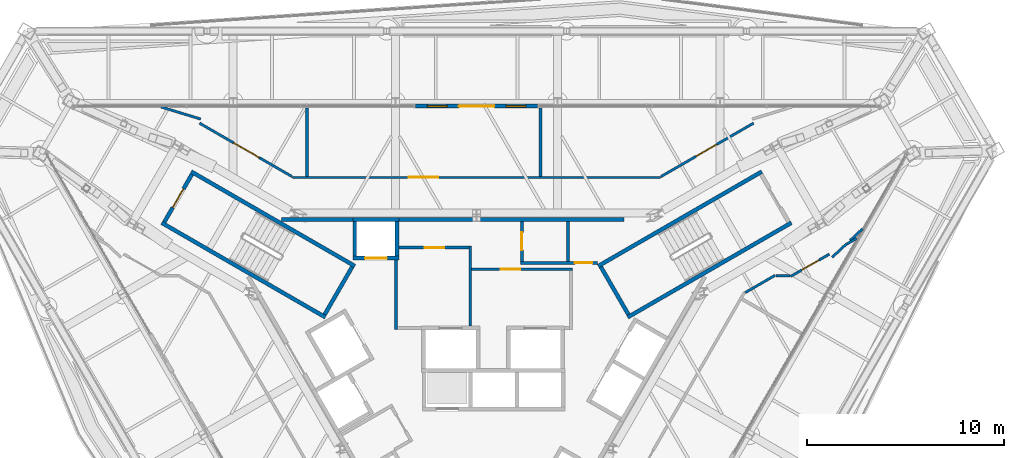
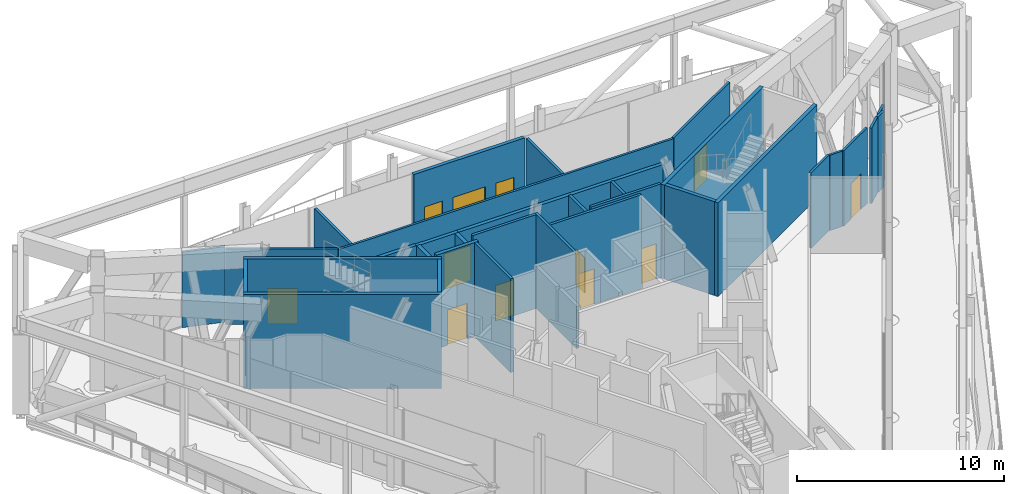
# One storey, part 17 of 25: 33 walls, 11 doors, 2 windows, 13 openings.
"""IFC4 building model written with IfcOpenShell, lengths in metres."""

from ifc_helpers import new_model, si_unit, direction, frame, frame_2d, origin, place, context, subcontext, project, spatial, rectangle, extrude, material, layer, layer_set, type_object, element, fill, save


model = new_model("IFC4")

# Units and contexts
model_context = context("Model", 3, precision=1e-05, world=origin(), true_north=direction((0.0, 1.0)))
body_context = subcontext(model_context, "Body", "Model", "MODEL_VIEW")
ifc_project = project(units=[si_unit("LENGTHUNIT", "METRE"), si_unit("AREAUNIT", "SQUARE_METRE"), si_unit("VOLUMEUNIT", "CUBIC_METRE"), si_unit("PLANEANGLEUNIT", "RADIAN"), si_unit("MASSUNIT", "GRAM", prefix="KILO")], contexts=[model_context])

# Site, building, storey
site_placement = place(None, origin())
site = spatial("IfcSite", under=ifc_project, at=site_placement, CompositionType="ELEMENT")
building_placement = place(site_placement, origin())
building = spatial("IfcBuilding", under=site, at=building_placement, Name="Verrane Prism Tower", CompositionType="ELEMENT")
storey_placement = place(building_placement, frame((0.0, 0.0, 258.199951171875)))
storey = spatial("IfcBuildingStorey", under=building, at=storey_placement, Name="L65", CompositionType="ELEMENT", Elevation=258.199951171875)

# Walls
ifc_material_1 = material(Name="Gypsum board partition", Category="other")
ifc_layer_1 = layer(ifc_material_1, 0.199951171875)
ifc_layer_set_1 = layer_set([ifc_layer_1], Name="CW-200 core boundary wall 2 h")
wall_type_1 = type_object("IfcWallType", Name="CW-200 core boundary wall 2 h", PredefinedType="PARTITIONING", material=ifc_layer_set_1)
wall_1_placement = place(storey_placement, frame((-9.907958984375, 7.659912109375, 0.0), z_axis=(0.0, 0.0, 1.0), x_axis=(1.0, 0.0, 0.0)))
element("IfcWall", 1, at=wall_1_placement, inside=storey, type_object=wall_type_1, Name="Core boundary wall CW3-002", PredefinedType="PARTITIONING", context=body_context, shape_type="SweptSolid", body=[
    extrude(rectangle(XDim=3.620849609375, YDim=0.199951171875, at=frame_2d((1.810546875, 0.0))), origin(), (0.0, 0.0, 1.0), 4.932861328125),
])
wall_2_placement = place(storey_placement, frame((-3.93310546875, 7.659912109375, 0.0), z_axis=(0.0, 0.0, 1.0), x_axis=(1.0, 0.0, 0.0)))
element("IfcWall", 2, at=wall_2_placement, inside=storey, type_object=wall_type_1, Name="Core boundary wall CW3-005", PredefinedType="PARTITIONING", context=body_context, shape_type="SweptSolid", body=[
    extrude(rectangle(XDim=11.43310546875, YDim=0.199951171875, at=frame_2d((5.716552734375, 0.0))), origin(), (0.0, 0.0, 1.0), 4.896728515625),
])
ifc_material_2 = material(Name="Concrete C40/50", Category="concrete")
ifc_layer_2 = layer(ifc_material_2, 0.199951171875)
ifc_layer_set_2 = layer_set([ifc_layer_2], Name="CW-200 stair core wall concrete C40/50 3 h")
wall_type_2 = type_object("IfcWallType", Name="CW-200 stair core wall concrete C40/50 3 h", PredefinedType="PARTITIONING", material=ifc_layer_set_2)
for number, where, z_axis, x_axis, name in (
    (3, (6.17822265625, 5.299072265625, 0.0), (0.0, 0.0, 1.0), (0.866019993635, 0.500009370536, 0.0), "Stair 1 enclosure wall"),
    (4, (7.67822265625, 2.700927734375, 0.0), (0.0, 0.0, 1.0), (0.866019993635, 0.500009370536, 0.0), "Stair 1 enclosure wall"),
):
    element("IfcWall", number, at=place(storey_placement, frame(where, z_axis=z_axis, x_axis=x_axis)), inside=storey, type_object=wall_type_2, Name=name, PredefinedType="PARTITIONING", context=body_context, shape_type="SweptSolid", body=[
        extrude(rectangle(XDim=9.599853515625, YDim=0.199951171875, at=frame_2d((4.7998046875, 0.0))), origin(), (0.0, 0.0, 1.0), 5.550048828125),
    ])
wall_3_placement = place(storey_placement, frame((7.71484375, 2.837646484375, 0.0), z_axis=(0.0, 0.0, 1.0), x_axis=(-0.500049511043, 0.865996816683, 0.0)))
element("IfcWall", 5, at=wall_3_placement, inside=storey, type_object=wall_type_2, Name="Stair 1 enclosure wall", PredefinedType="PARTITIONING", context=body_context, shape_type="SweptSolid", body=[
    extrude(rectangle(XDim=2.800048828125, YDim=0.199951171875, at=frame_2d((1.39990234375, 0.0))), origin(), (0.0, 0.0, 1.0), 5.550048828125),
])

# Wall, opening, door
wall_4_placement = place(storey_placement, frame((-14.455322265625, 9.96240234375, 0.0), z_axis=(0.0, 0.0, 1.0), x_axis=(-0.500049511043, -0.865996816683, 0.0)))
wall_4 = element("IfcWall", 6, at=wall_4_placement, inside=storey, type_object=wall_type_2, Name="Stair 2 enclosure wall", PredefinedType="PARTITIONING", context=body_context, shape_type="SweptSolid", body=[
    extrude(rectangle(XDim=2.800048828125, YDim=0.199951171875, at=frame_2d((1.39990234375, 0.0))), origin(), (0.0, 0.0, 1.0), 5.550048828125),
])
opening_1_placement = place(wall_4_placement, frame((0.849853515625, 0.0, 0.0)))
opening_1 = element("IfcOpeningElement", 7, at=opening_1_placement, cuts=wall_4, Name="Opening D65501", PredefinedType="OPENING", context=body_context, shape_type="SweptSolid", body=[
    extrude(rectangle(XDim=1.10009765625, YDim=2.10009765625, at=frame_2d((0.550048828125, 1.050048828125))), frame((0.0, 0.10986328125, 0.0), z_axis=(0.0, -1.0, 0.0), x_axis=(1.0, 0.0, 0.0)), (0.0, 0.0, 1.0), 0.219970703125),
])
ifc_material_3 = material(Name="Timber veneered door leaf", Category="wood")
door_type_1 = type_object("IfcDoorType", Name="DR-1100x2100 FD90 single leaf stair", OperationType="NOTDEFINED", PredefinedType="DOOR", material=ifc_material_3)
door_1_placement = place(opening_1_placement, origin())
door_1 = element("IfcDoor", 8, at=door_1_placement, inside=storey, type_object=door_type_1, Name="Stair 2 door", OperationType="SINGLE_SWING_RIGHT", OverallHeight=2.10009765625, OverallWidth=1.10009765625, PredefinedType="DOOR", context=body_context, shape_type="SweptSolid", body=[
    extrude(rectangle(XDim=1.10009765625, YDim=2.10009765625, at=frame_2d((0.550048828125, 1.050048828125))), frame((0.0, 0.02490234375, 0.0), z_axis=(0.0, -1.0, 0.0), x_axis=(1.0, 0.0, 0.0)), (0.0, 0.0, 1.0), 0.050048828125),
])
fill(opening_1, door_1)

# Walls
for number, where, z_axis, x_axis, name in (
    (9, (-7.67822265625, 2.700927734375, 0.0), (0.0, 0.0, 1.0), (-0.866019993635, 0.500009370536, 0.0), "Stair 2 enclosure wall"),
    (10, (-6.17822265625, 5.299072265625, 0.0), (0.0, 0.0, 1.0), (-0.866019993635, 0.500009370536, 0.0), "Stair 2 enclosure wall"),
):
    element("IfcWall", number, at=place(storey_placement, frame(where, z_axis=z_axis, x_axis=x_axis)), inside=storey, type_object=wall_type_2, Name=name, PredefinedType="PARTITIONING", context=body_context, shape_type="SweptSolid", body=[
        extrude(rectangle(XDim=9.599853515625, YDim=0.199951171875, at=frame_2d((4.7998046875, 0.0))), origin(), (0.0, 0.0, 1.0), 5.550048828125),
    ])
wall_5_placement = place(storey_placement, frame((-6.314697265625, 5.262451171875, 0.0), z_axis=(0.0, 0.0, 1.0), x_axis=(-0.500049511043, -0.865996816683, 0.0)))
element("IfcWall", 11, at=wall_5_placement, inside=storey, type_object=wall_type_2, Name="Stair 2 enclosure wall", PredefinedType="PARTITIONING", context=body_context, shape_type="SweptSolid", body=[
    extrude(rectangle(XDim=2.800048828125, YDim=0.199951171875, at=frame_2d((1.39990234375, 0.0))), origin(), (0.0, 0.0, 1.0), 5.550048828125),
])

# Wall, opening, door
ifc_material_4 = material(Name="Gypsum board shaft wall assembly", Category="other")
ifc_layer_3 = layer(ifc_material_4, 0.199951171875)
ifc_layer_set_3 = layer_set([ifc_layer_3], Name="HW-200 lift shaft wall 2 h")
wall_type_3 = type_object("IfcWallType", Name="HW-200 lift shaft wall 2 h", PredefinedType="PARTITIONING", material=ifc_layer_set_3)
wall_6_placement = place(storey_placement, frame((-6.284912109375, 5.7099609375, 0.0), z_axis=(0.0, 0.0, 1.0), x_axis=(1.0, 0.0, 0.0)))
wall_6 = element("IfcWall", 12, at=wall_6_placement, inside=storey, type_object=wall_type_3, Name="Lift shaft wall", PredefinedType="PARTITIONING", context=body_context, shape_type="SweptSolid", body=[
    extrude(rectangle(XDim=2.349853515625, YDim=0.199951171875, at=frame_2d((1.1748046875, 0.0))), origin(), (0.0, 0.0, 1.0), 5.550048828125),
])
opening_2_placement = place(wall_6_placement, frame((0.625, 0.0, 0.0)))
opening_2 = element("IfcOpeningElement", 13, at=opening_2_placement, cuts=wall_6, Name="Opening D65504", PredefinedType="OPENING", context=body_context, shape_type="SweptSolid", body=[
    extrude(rectangle(XDim=1.10009765625, YDim=2.10009765625, at=frame_2d((0.550048828125, 1.050048828125))), frame((0.0, 0.10986328125, 0.0), z_axis=(0.0, -1.0, 0.0), x_axis=(1.0, 0.0, 0.0)), (0.0, 0.0, 1.0), 0.219970703125),
])
ifc_material_5 = material(Name="Stainless steel sliding landing door", Category="steel")
door_type_2 = type_object("IfcDoorType", Name="LD-1100x2100 lift landing door FD90 sliding", OperationType="NOTDEFINED", PredefinedType="DOOR", material=ifc_material_5)
door_2_placement = place(opening_2_placement, origin())
door_2 = element("IfcDoor", 14, at=door_2_placement, inside=storey, type_object=door_type_2, Name="Shuttle lift 2 landing door", OperationType="SLIDING_TO_RIGHT", OverallHeight=2.10009765625, OverallWidth=1.10009765625, PredefinedType="DOOR", context=body_context, shape_type="SweptSolid", body=[
    extrude(rectangle(XDim=1.10009765625, YDim=2.10009765625, at=frame_2d((0.550048828125, 1.050048828125))), frame((0.0, 0.02490234375, 0.0), z_axis=(0.0, -1.0, 0.0), x_axis=(1.0, 0.0, 0.0)), (0.0, 0.0, 1.0), 0.050048828125),
])
fill(opening_2, door_2)

# Walls
wall_7_placement = place(storey_placement, frame((-6.284912109375, 7.659912109375, 0.0), z_axis=(0.0, 0.0, 1.0), x_axis=(1.0, 0.0, 0.0)))
element("IfcWall", 15, at=wall_7_placement, inside=storey, type_object=wall_type_3, Name="Lift shaft wall", PredefinedType="PARTITIONING", context=body_context, shape_type="SweptSolid", body=[
    extrude(rectangle(XDim=2.349853515625, YDim=0.199951171875, at=frame_2d((1.1748046875, 0.0))), origin(), (0.0, 0.0, 1.0), 4.896728515625),
])
wall_8_placement = place(storey_placement, frame((-4.034912109375, 5.81005859375, 0.0), z_axis=(0.0, 0.0, 1.0), x_axis=(0.0, 1.0, 0.0)))
element("IfcWall", 16, at=wall_8_placement, inside=storey, type_object=wall_type_3, Name="Lift shaft wall", PredefinedType="PARTITIONING", context=body_context, shape_type="SweptSolid", body=[
    extrude(rectangle(XDim=1.75, YDim=0.199951171875, at=frame_2d((0.875, 0.0))), origin(), (0.0, 0.0, 1.0), 4.896728515625),
])
wall_9_placement = place(storey_placement, frame((-6.18505859375, 5.81005859375, 0.0), z_axis=(0.0, 0.0, 1.0), x_axis=(0.0, 1.0, 0.0)))
element("IfcWall", 17, at=wall_9_placement, inside=storey, type_object=wall_type_3, Name="Lift shaft wall", PredefinedType="PARTITIONING", context=body_context, shape_type="SweptSolid", body=[
    extrude(rectangle(XDim=1.75, YDim=0.199951171875, at=frame_2d((0.875, 0.0))), origin(), (0.0, 0.0, 1.0), 4.932861328125),
])
ifc_material_6 = material(Name="Gypsum board partition", Category="other")
ifc_layer_4 = layer(ifc_material_6, 0.14990234375)
ifc_layer_set_4 = layer_set([ifc_layer_4], Name="LF-150 firefighting lobby wall 1 h")
wall_type_4 = type_object("IfcWallType", Name="LF-150 firefighting lobby wall 1 h", PredefinedType="PARTITIONING", material=ifc_layer_set_4)
wall_10_placement = place(storey_placement, frame((-4.10009765625, 2.0849609375, 0.0), z_axis=(0.0, 0.0, 1.0), x_axis=(0.0, 1.0, 0.0)))
element("IfcWall", 18, at=wall_10_placement, inside=storey, type_object=wall_type_4, Name="Firefighting lobby wall LF1-001", PredefinedType="PARTITIONING", context=body_context, shape_type="SweptSolid", body=[
    extrude(rectangle(XDim=3.52294921875, YDim=0.14990234375, at=frame_2d((1.761474609375, 0.0))), origin(), (0.0, 0.0, 1.0), 5.550048828125),
])

# Wall, opening, door
wall_11_placement = place(storey_placement, frame((-3.93310546875, 6.239990234375, 0.0), z_axis=(0.0, 0.0, 1.0), x_axis=(1.0, 0.0, 0.0)))
wall_11 = element("IfcWall", 19, at=wall_11_placement, inside=storey, type_object=wall_type_4, Name="Firefighting lobby wall LF1-003", PredefinedType="PARTITIONING", context=body_context, shape_type="SweptSolid", body=[
    extrude(rectangle(XDim=3.5380859375, YDim=0.14990234375, at=frame_2d((1.76904296875, 0.0))), origin(), (0.0, 0.0, 1.0), 5.550048828125),
])
opening_3_placement = place(wall_11_placement, frame((1.300048828125, 0.0, 0.0)))
opening_3 = element("IfcOpeningElement", 20, at=opening_3_placement, cuts=wall_11, Name="Opening D65515", PredefinedType="OPENING", context=body_context, shape_type="SweptSolid", body=[
    extrude(rectangle(XDim=1.0, YDim=2.10009765625, at=frame_2d((0.5, 1.050048828125))), frame((0.0, 0.0849609375, 0.0), z_axis=(0.0, -1.0, 0.0), x_axis=(1.0, 0.0, 0.0)), (0.0, 0.0, 1.0), 0.169921875),
])
ifc_material_7 = material(Name="Timber veneered door leaf", Category="wood")
door_type_3 = type_object("IfcDoorType", Name="DR-1000x2100 FD60 single leaf firefighting lobby", OperationType="NOTDEFINED", PredefinedType="DOOR", material=ifc_material_7)
door_3_placement = place(opening_3_placement, origin())
door_3 = element("IfcDoor", 21, at=door_3_placement, inside=storey, type_object=door_type_3, Name="Firefighting lobby door D65515", OperationType="SINGLE_SWING_LEFT", OverallHeight=2.10009765625, OverallWidth=1.0, PredefinedType="DOOR", context=body_context, shape_type="SweptSolid", body=[
    extrude(rectangle(XDim=1.0, YDim=2.10009765625, at=frame_2d((0.5, 1.050048828125))), frame((0.0, 0.02490234375, 0.0), z_axis=(0.0, -1.0, 0.0), x_axis=(1.0, 0.0, 0.0)), (0.0, 0.0, 1.0), 0.050048828125),
])
fill(opening_3, door_3)

# Wall
wall_12_placement = place(storey_placement, frame((-0.320068359375, 2.251953125, 0.0), z_axis=(0.0, 0.0, 1.0), x_axis=(0.0, 1.0, 0.0)))
element("IfcWall", 22, at=wall_12_placement, inside=storey, type_object=wall_type_4, Name="Firefighting lobby wall LF1-004", PredefinedType="PARTITIONING", context=body_context, shape_type="SweptSolid", body=[
    extrude(rectangle(XDim=4.06298828125, YDim=0.14990234375, at=frame_2d((2.031494140625, 0.0))), origin(), (0.0, 0.0, 1.0), 5.550048828125),
])

# Wall, opening, door
wall_13_placement = place(storey_placement, frame((-0.2451171875, 5.139892578125, 0.0), z_axis=(0.0, 0.0, 1.0), x_axis=(1.0, 0.0, 0.0)))
wall_13 = element("IfcWall", 23, at=wall_13_placement, inside=storey, type_object=wall_type_4, Name="Firefighting lobby wall LF1-005", PredefinedType="PARTITIONING", context=body_context, shape_type="SweptSolid", body=[
    extrude(rectangle(XDim=5.110107421875, YDim=0.14990234375, at=frame_2d((2.55517578125, 0.0))), origin(), (0.0, 0.0, 1.0), 5.550048828125),
])
opening_4_placement = place(wall_13_placement, frame((1.47509765625, 0.0, 0.0)))
opening_4 = element("IfcOpeningElement", 24, at=opening_4_placement, cuts=wall_13, Name="Opening D65516", PredefinedType="OPENING", context=body_context, shape_type="SweptSolid", body=[
    extrude(rectangle(XDim=1.0, YDim=2.10009765625, at=frame_2d((0.5, 1.050048828125))), frame((0.0, 0.0849609375, 0.0), z_axis=(0.0, -1.0, 0.0), x_axis=(1.0, 0.0, 0.0)), (0.0, 0.0, 1.0), 0.169921875),
])
door_4_placement = place(opening_4_placement, origin())
door_4 = element("IfcDoor", 25, at=door_4_placement, inside=storey, type_object=door_type_3, Name="Firefighting lobby door D65516", OperationType="SINGLE_SWING_LEFT", OverallHeight=2.10009765625, OverallWidth=1.0, PredefinedType="DOOR", context=body_context, shape_type="SweptSolid", body=[
    extrude(rectangle(XDim=1.0, YDim=2.10009765625, at=frame_2d((0.5, 1.050048828125))), frame((0.0, 0.02490234375, 0.0), z_axis=(0.0, -1.0, 0.0), x_axis=(1.0, 0.0, 0.0)), (0.0, 0.0, 1.0), 0.050048828125),
])
fill(opening_4, door_4)

# Wall
ifc_material_8 = material(Name="Gypsum board partition", Category="other")
ifc_layer_5 = layer(ifc_material_8, 0.125)
ifc_layer_set_5 = layer_set([ifc_layer_5], Name="PW-125 corridor wall 1 h")
wall_type_5 = type_object("IfcWallType", Name="PW-125 corridor wall 1 h", PredefinedType="PARTITIONING", material=ifc_layer_set_5)
wall_14_placement = place(storey_placement, frame((-16.02978515625, 13.38525390625, 0.0), z_axis=(0.0, 0.0, 1.0), x_axis=(0.956207207062, -0.292690582633, 0.0)))
element("IfcWall", 26, at=wall_14_placement, inside=storey, type_object=wall_type_5, Name="Corridor wall 006", PredefinedType="PARTITIONING", context=body_context, shape_type="SweptSolid", body=[
    extrude(rectangle(XDim=2.115234375, YDim=0.125, at=frame_2d((1.0576171875, 0.0))), origin(), (0.0, 0.0, 1.0), 4.462158203125),
])

# Wall, opening, door
wall_15_placement = place(storey_placement, frame((-14.070068359375, 12.55908203125, 0.0), z_axis=(0.0, 0.0, 1.0), x_axis=(0.866176613439, -0.49973800569, 0.0)))
wall_15 = element("IfcWall", 27, at=wall_15_placement, inside=storey, type_object=wall_type_5, Name="Corridor wall 008", PredefinedType="PARTITIONING", context=body_context, shape_type="SweptSolid", body=[
    extrude(rectangle(XDim=5.43603515625, YDim=0.125, at=frame_2d((2.718017578125, 0.0))), origin(), (0.0, 0.0, 1.0), 4.462158203125),
])
opening_5_placement = place(wall_15_placement, frame((2.0, 0.0, 0.0)))
opening_5 = element("IfcOpeningElement", 28, at=opening_5_placement, cuts=wall_15, Name="Opening D65003", PredefinedType="OPENING", context=body_context, shape_type="SweptSolid", body=[
    extrude(rectangle(XDim=1.5, YDim=2.10009765625, at=frame_2d((0.75, 1.050048828125))), frame((0.0, 0.072509765625, 0.0), z_axis=(0.0, -1.0, 0.0), x_axis=(1.0, 0.0, 0.0)), (0.0, 0.0, 1.0), 0.14501953125),
])
ifc_material_9 = material(Name="Timber veneered door leaf", Category="wood")
door_type_4 = type_object("IfcDoorType", Name="DR-1500x2100 FD60 double leaf unit", OperationType="NOTDEFINED", PredefinedType="DOOR", material=ifc_material_9)
door_5_placement = place(opening_5_placement, origin())
door_5 = element("IfcDoor", 29, at=door_5_placement, inside=storey, type_object=door_type_4, Name="Mechanical Plant Room door", OperationType="DOUBLE_DOOR_SINGLE_SWING", OverallHeight=2.10009765625, OverallWidth=1.5, PredefinedType="DOOR", context=body_context, shape_type="SweptSolid", body=[
    extrude(rectangle(XDim=1.5, YDim=2.10009765625, at=frame_2d((0.75, 1.050048828125))), frame((0.0, 0.02490234375, 0.0), z_axis=(0.0, -1.0, 0.0), x_axis=(1.0, 0.0, 0.0)), (0.0, 0.0, 1.0), 0.050048828125),
])
fill(opening_5, door_5)

wall_16_placement = place(storey_placement, frame((-9.3505859375, 9.800048828125, 0.0), z_axis=(0.0, 0.0, 1.0), x_axis=(1.0, 0.0, 0.0)))
wall_16 = element("IfcWall", 30, at=wall_16_placement, inside=storey, type_object=wall_type_5, Name="Corridor wall 010", PredefinedType="PARTITIONING", context=body_context, shape_type="SweptSolid", body=[
    extrude(rectangle(XDim=18.701171875, YDim=0.125, at=frame_2d((9.3505859375, 0.0))), origin(), (0.0, 0.0, 1.0), 4.462158203125),
])
opening_6_placement = place(wall_16_placement, frame((5.900390625, 0.0, 0.0)))
opening_6 = element("IfcOpeningElement", 31, at=opening_6_placement, cuts=wall_16, Name="Opening D65002", PredefinedType="OPENING", context=body_context, shape_type="SweptSolid", body=[
    extrude(rectangle(XDim=1.5, YDim=2.10009765625, at=frame_2d((0.75, 1.050048828125))), frame((0.0, 0.072509765625, 0.0), z_axis=(0.0, -1.0, 0.0), x_axis=(1.0, 0.0, 0.0)), (0.0, 0.0, 1.0), 0.14501953125),
])
door_6_placement = place(opening_6_placement, origin())
door_6 = element("IfcDoor", 32, at=door_6_placement, inside=storey, type_object=door_type_4, Name="Mechanical Plant Room door", OperationType="DOUBLE_DOOR_SINGLE_SWING", OverallHeight=2.10009765625, OverallWidth=1.5, PredefinedType="DOOR", context=body_context, shape_type="SweptSolid", body=[
    extrude(rectangle(XDim=1.5, YDim=2.10009765625, at=frame_2d((0.75, 1.050048828125))), frame((0.0, 0.02490234375, 0.0), z_axis=(0.0, -1.0, 0.0), x_axis=(1.0, 0.0, 0.0)), (0.0, 0.0, 1.0), 0.050048828125),
])
fill(opening_6, door_6)

wall_17_placement = place(storey_placement, frame((9.361572265625, 9.842529296875, 0.0), z_axis=(0.0, 0.0, 1.0), x_axis=(0.866176613439, 0.49973800569, 0.0)))
wall_17 = element("IfcWall", 33, at=wall_17_placement, inside=storey, type_object=wall_type_5, Name="Corridor wall 023", PredefinedType="PARTITIONING", context=body_context, shape_type="SweptSolid", body=[
    extrude(rectangle(XDim=5.43603515625, YDim=0.125, at=frame_2d((2.718017578125, 0.0))), origin(), (0.0, 0.0, 1.0), 4.462158203125),
])
opening_7_placement = place(wall_17_placement, frame((2.06494140625, 0.0, 0.0)))
opening_7 = element("IfcOpeningElement", 34, at=opening_7_placement, cuts=wall_17, Name="Opening D65001", PredefinedType="OPENING", context=body_context, shape_type="SweptSolid", body=[
    extrude(rectangle(XDim=1.199951171875, YDim=2.10009765625, at=frame_2d((0.60009765625, 1.050048828125))), frame((0.0, 0.072509765625, 0.0), z_axis=(0.0, -1.0, 0.0), x_axis=(1.0, 0.0, 0.0)), (0.0, 0.0, 1.0), 0.14501953125),
])
ifc_material_10 = material(Name="Timber veneered door leaf", Category="wood")
door_type_5 = type_object("IfcDoorType", Name="DR-1200x2100 FD60 single leaf unit", OperationType="NOTDEFINED", PredefinedType="DOOR", material=ifc_material_10)
door_7_placement = place(opening_7_placement, origin())
door_7 = element("IfcDoor", 35, at=door_7_placement, inside=storey, type_object=door_type_5, Name="Electrical Switch Room door", OperationType="SINGLE_SWING_LEFT", OverallHeight=2.10009765625, OverallWidth=1.199951171875, PredefinedType="DOOR", context=body_context, shape_type="SweptSolid", body=[
    extrude(rectangle(XDim=1.199951171875, YDim=2.10009765625, at=frame_2d((0.60009765625, 1.050048828125))), frame((0.0, 0.02490234375, 0.0), z_axis=(0.0, -1.0, 0.0), x_axis=(1.0, 0.0, 0.0)), (0.0, 0.0, 1.0), 0.050048828125),
])
fill(opening_7, door_7)

# Walls
wall_18_placement = place(storey_placement, frame((13.647705078125, 3.95361328125, 0.0), z_axis=(0.0, 0.0, 1.0), x_axis=(0.865930689144, 0.500164014697, 0.0)))
element("IfcWall", 36, at=wall_18_placement, inside=storey, type_object=wall_type_5, Name="Corridor wall 025", PredefinedType="PARTITIONING", context=body_context, shape_type="SweptSolid", body=[
    extrude(rectangle(XDim=1.7548828125, YDim=0.125, at=frame_2d((0.87744140625, 0.0))), origin(), (0.0, 0.0, 1.0), 4.462158203125),
])
wall_19_placement = place(storey_placement, frame((15.197998046875, 4.800048828125, 0.0), z_axis=(0.0, 0.0, 1.0), x_axis=(1.0, 0.0, 0.0)))
element("IfcWall", 37, at=wall_19_placement, inside=storey, type_object=wall_type_5, Name="Corridor wall 027", PredefinedType="PARTITIONING", context=body_context, shape_type="SweptSolid", body=[
    extrude(rectangle(XDim=0.716064453125, YDim=0.125, at=frame_2d((0.35791015625, 0.0))), origin(), (0.0, 0.0, 1.0), 4.462158203125),
])

# Wall, opening, door
wall_20_placement = place(storey_placement, frame((17.9169921875, 5.906005859375, 0.0), z_axis=(0.0, 0.0, 1.0), x_axis=(-0.866296257949, -0.499530573103, 0.0)))
wall_20 = element("IfcWall", 38, at=wall_20_placement, inside=storey, type_object=wall_type_5, Name="Corridor wall 028", PredefinedType="PARTITIONING", context=body_context, shape_type="SweptSolid", body=[
    extrude(rectangle(XDim=2.276611328125, YDim=0.125, at=frame_2d((1.13818359375, 0.0))), origin(), (0.0, 0.0, 1.0), 4.462158203125),
])
opening_8_placement = place(wall_20_placement, frame((0.614013671875, 0.0, 0.0)))
opening_8 = element("IfcOpeningElement", 39, at=opening_8_placement, cuts=wall_20, Name="Opening D65007", PredefinedType="OPENING", context=body_context, shape_type="SweptSolid", body=[
    extrude(rectangle(XDim=1.0, YDim=2.10009765625, at=frame_2d((0.5, 1.050048828125))), frame((0.0, 0.072509765625, 0.0), z_axis=(0.0, -1.0, 0.0), x_axis=(1.0, 0.0, 0.0)), (0.0, 0.0, 1.0), 0.14501953125),
])
ifc_material_11 = material(Name="Timber veneered door leaf", Category="wood")
door_type_6 = type_object("IfcDoorType", Name="DR-1000x2100 FD60 single leaf unit", OperationType="NOTDEFINED", PredefinedType="DOOR", material=ifc_material_11)
door_8_placement = place(opening_8_placement, origin())
door_8 = element("IfcDoor", 40, at=door_8_placement, inside=storey, type_object=door_type_6, Name="Telecom Room door", OperationType="SINGLE_SWING_RIGHT", OverallHeight=2.10009765625, OverallWidth=1.0, PredefinedType="DOOR", context=body_context, shape_type="SweptSolid", body=[
    extrude(rectangle(XDim=1.0, YDim=2.10009765625, at=frame_2d((0.5, 1.050048828125))), frame((0.0, 0.02490234375, 0.0), z_axis=(0.0, -1.0, 0.0), x_axis=(1.0, 0.0, 0.0)), (0.0, 0.0, 1.0), 0.050048828125),
])
fill(opening_8, door_8)

# Walls
wall_21_placement = place(storey_placement, frame((18.06494140625, 5.748046875, 0.0), z_axis=(0.0, 0.0, 1.0), x_axis=(0.730385905706, 0.683034720015, 0.0)))
element("IfcWall", 41, at=wall_21_placement, inside=storey, type_object=wall_type_5, Name="Corridor wall 029", PredefinedType="PARTITIONING", context=body_context, shape_type="SweptSolid", body=[
    extrude(rectangle(XDim=0.9951171875, YDim=0.125, at=frame_2d((0.49755859375, 0.0))), origin(), (0.0, 0.0, 1.0), 4.462158203125),
])
wall_22_placement = place(storey_placement, frame((18.81103515625, 6.422607421875, 0.0), z_axis=(0.0, 0.0, 1.0), x_axis=(0.866107403877, 0.499857944771, 0.0)))
element("IfcWall", 42, at=wall_22_placement, inside=storey, type_object=wall_type_5, Name="Corridor wall 030", PredefinedType="PARTITIONING", context=body_context, shape_type="SweptSolid", body=[
    extrude(rectangle(XDim=0.572021484375, YDim=0.125, at=frame_2d((0.2861328125, 0.0))), origin(), (0.0, 0.0, 1.0), 4.462158203125),
])
wall_23_placement = place(storey_placement, frame((18.972900390625, 6.596923828125, 0.0), z_axis=(0.0, 0.0, 1.0), x_axis=(0.729729583448, 0.683735866428, 0.0)))
element("IfcWall", 43, at=wall_23_placement, inside=storey, type_object=wall_type_5, Name="Corridor wall 031", PredefinedType="PARTITIONING", context=body_context, shape_type="SweptSolid", body=[
    extrude(rectangle(XDim=0.87060546875, YDim=0.125, at=frame_2d((0.435302734375, 0.0))), origin(), (0.0, 0.0, 1.0), 4.462158203125),
])
ifc_material_12 = material(Name="Gypsum board partition", Category="other")
ifc_layer_6 = layer(ifc_material_12, 0.14990234375)
ifc_layer_set_6 = layer_set([ifc_layer_6], Name="PW-150 demising wall 1 h")
wall_type_6 = type_object("IfcWallType", Name="PW-150 demising wall 1 h", PredefinedType="PARTITIONING", material=ifc_layer_set_6)
for number, where, z_axis, x_axis, name in (
    (44, (-8.60009765625, 9.862548828125, 0.0), (0.0, 0.0, 1.0), (0.0, 1.0, 0.0), "Demising wall 011"),
    (45, (3.2451171875, 9.862548828125, 0.0), (0.0, 0.0, 1.0), (0.0, 1.0, 0.0), "Demising wall 017"),
):
    element("IfcWall", number, at=place(storey_placement, frame(where, z_axis=z_axis, x_axis=x_axis)), inside=storey, type_object=wall_type_6, Name=name, PredefinedType="PARTITIONING", context=body_context, shape_type="SweptSolid", body=[
        extrude(rectangle(XDim=3.46337890625, YDim=0.14990234375, at=frame_2d((1.731689453125, 0.0))), origin(), (0.0, 0.0, 1.0), 4.462158203125),
    ])

# Wall, opening, door
ifc_material_13 = material(Name="Gypsum board partition", Category="other")
ifc_layer_7 = layer(ifc_material_13, 0.14990234375)
ifc_layer_set_7 = layer_set([ifc_layer_7], Name="RS-150 riser enclosure wall 1 h")
wall_type_7 = type_object("IfcWallType", Name="RS-150 riser enclosure wall 1 h", PredefinedType="PARTITIONING", material=ifc_layer_set_7)
wall_24_placement = place(storey_placement, frame((2.300048828125, 7.56005859375, 0.0), z_axis=(0.0, 0.0, 1.0), x_axis=(0.0, -1.0, 0.0)))
wall_24 = element("IfcWall", 46, at=wall_24_placement, inside=storey, type_object=wall_type_7, Name="Riser wall RS3-004", PredefinedType="PARTITIONING", context=body_context, shape_type="SweptSolid", body=[
    extrude(rectangle(XDim=2.025146484375, YDim=0.14990234375, at=frame_2d((1.0126953125, 0.0))), origin(), (0.0, 0.0, 1.0), 4.932861328125),
])
opening_9_placement = place(wall_24_placement, frame((0.550048828125, 0.0, 0.0)))
opening_9 = element("IfcOpeningElement", 47, at=opening_9_placement, cuts=wall_24, Name="Opening D65518", PredefinedType="OPENING", context=body_context, shape_type="SweptSolid", body=[
    extrude(rectangle(XDim=0.89990234375, YDim=2.10009765625, at=frame_2d((0.449951171875, 1.050048828125))), frame((0.0, 0.0849609375, 0.0), z_axis=(0.0, -1.0, 0.0), x_axis=(1.0, 0.0, 0.0)), (0.0, 0.0, 1.0), 0.169921875),
])
ifc_material_14 = material(Name="Timber veneered door leaf", Category="wood")
door_type_7 = type_object("IfcDoorType", Name="DR-900x2100 FD60 single leaf riser", OperationType="NOTDEFINED", PredefinedType="DOOR", material=ifc_material_14)
door_9_placement = place(opening_9_placement, origin())
door_9 = element("IfcDoor", 48, at=door_9_placement, inside=storey, type_object=door_type_7, Name="Riser door D65518", OperationType="SINGLE_SWING_LEFT", OverallHeight=2.10009765625, OverallWidth=0.89990234375, PredefinedType="DOOR", context=body_context, shape_type="SweptSolid", body=[
    extrude(rectangle(XDim=0.89990234375, YDim=2.10009765625, at=frame_2d((0.449951171875, 1.050048828125))), frame((0.0, 0.02490234375, 0.0), z_axis=(0.0, -1.0, 0.0), x_axis=(1.0, 0.0, 0.0)), (0.0, 0.0, 1.0), 0.050048828125),
])
fill(opening_9, door_9)

wall_25_placement = place(storey_placement, frame((2.22509765625, 5.4599609375, 0.0), z_axis=(0.0, 0.0, 1.0), x_axis=(1.0, 0.0, 0.0)))
wall_25 = element("IfcWall", 49, at=wall_25_placement, inside=storey, type_object=wall_type_7, Name="Riser wall RS3-005", PredefinedType="PARTITIONING", context=body_context, shape_type="SweptSolid", body=[
    extrude(rectangle(XDim=3.916015625, YDim=0.14990234375, at=frame_2d((1.9580078125, 0.0))), origin(), (0.0, 0.0, 1.0), 5.550048828125),
])
opening_10_placement = place(wall_25_placement, frame((2.764892578125, 0.0, 0.0)))
opening_10 = element("IfcOpeningElement", 50, at=opening_10_placement, cuts=wall_25, Name="Opening D65519", PredefinedType="OPENING", context=body_context, shape_type="SweptSolid", body=[
    extrude(rectangle(XDim=0.89990234375, YDim=2.10009765625, at=frame_2d((0.449951171875, 1.050048828125))), frame((0.0, 0.0849609375, 0.0), z_axis=(0.0, -1.0, 0.0), x_axis=(1.0, 0.0, 0.0)), (0.0, 0.0, 1.0), 0.169921875),
])
door_10_placement = place(opening_10_placement, origin())
door_10 = element("IfcDoor", 51, at=door_10_placement, inside=storey, type_object=door_type_7, Name="Riser door D65519", OperationType="SINGLE_SWING_LEFT", OverallHeight=2.10009765625, OverallWidth=0.89990234375, PredefinedType="DOOR", context=body_context, shape_type="SweptSolid", body=[
    extrude(rectangle(XDim=0.89990234375, YDim=2.10009765625, at=frame_2d((0.449951171875, 1.050048828125))), frame((0.0, 0.02490234375, 0.0), z_axis=(0.0, -1.0, 0.0), x_axis=(1.0, 0.0, 0.0)), (0.0, 0.0, 1.0), 0.050048828125),
])
fill(opening_10, door_10)

# Wall
wall_26_placement = place(storey_placement, frame((4.639892578125, 5.534912109375, 0.0), z_axis=(0.0, 0.0, 1.0), x_axis=(0.0, 1.0, 0.0)))
element("IfcWall", 52, at=wall_26_placement, inside=storey, type_object=wall_type_7, Name="Riser wall RS3-006", PredefinedType="PARTITIONING", context=body_context, shape_type="SweptSolid", body=[
    extrude(rectangle(XDim=2.025146484375, YDim=0.14990234375, at=frame_2d((1.0126953125, 0.0))), origin(), (0.0, 0.0, 1.0), 4.932861328125),
])

# Wall, openings, door, windows
ifc_material_15 = material(Name="Aluminium framed insulated glazing", Category="aluminium")
ifc_layer_8 = layer(ifc_material_15, 0.199951171875)
ifc_layer_set_8 = layer_set([ifc_layer_8], Name="Refuge screen wall 200")
wall_type_8 = type_object("IfcWallType", Name="Refuge screen wall 200", PredefinedType="SOLIDWALL", material=ifc_layer_set_8)
wall_27_placement = place(storey_placement, frame((3.10009765625, 13.421875, 0.0), z_axis=(0.0, 0.0, 1.0), x_axis=(-1.0, 0.0, 0.0)))
wall_27 = element("IfcWall", 53, at=wall_27_placement, inside=storey, type_object=wall_type_8, Name="Refuge screen wall north face L65", PredefinedType="SOLIDWALL", context=body_context, shape_type="SweptSolid", body=[
    extrude(rectangle(XDim=6.2001953125, YDim=0.199951171875, at=frame_2d((3.10009765625, 0.0))), origin(), (0.0, 0.0, 1.0), 4.5224609375),
])
opening_11_placement = place(wall_27_placement, frame((0.60009765625, 0.0, 0.89990234375)))
opening_11 = element("IfcOpeningElement", 54, at=opening_11_placement, cuts=wall_27, Name="Opening W65701", PredefinedType="OPENING", context=body_context, shape_type="SweptSolid", body=[
    extrude(rectangle(XDim=1.0, YDim=1.5, at=frame_2d((0.5, 0.75))), frame((0.0, 0.10986328125, 0.0), z_axis=(0.0, -1.0, 0.0), x_axis=(1.0, 0.0, 0.0)), (0.0, 0.0, 1.0), 0.219970703125),
])
opening_12_placement = place(wall_27_placement, frame((2.199951171875, 0.0, 0.0)))
opening_12 = element("IfcOpeningElement", 55, at=opening_12_placement, cuts=wall_27, Name="Opening D65701", PredefinedType="OPENING", context=body_context, shape_type="SweptSolid", body=[
    extrude(rectangle(XDim=1.800048828125, YDim=2.39990234375, at=frame_2d((0.89990234375, 1.199951171875))), frame((0.0, 0.10986328125, 0.0), z_axis=(0.0, -1.0, 0.0), x_axis=(1.0, 0.0, 0.0)), (0.0, 0.0, 1.0), 0.219970703125),
])
opening_13_placement = place(wall_27_placement, frame((4.60009765625, 0.0, 0.89990234375)))
opening_13 = element("IfcOpeningElement", 56, at=opening_13_placement, cuts=wall_27, Name="Opening W65702", PredefinedType="OPENING", context=body_context, shape_type="SweptSolid", body=[
    extrude(rectangle(XDim=1.0, YDim=1.5, at=frame_2d((0.5, 0.75))), frame((0.0, 0.10986328125, 0.0), z_axis=(0.0, -1.0, 0.0), x_axis=(1.0, 0.0, 0.0)), (0.0, 0.0, 1.0), 0.219970703125),
])
ifc_material_16 = material(Name="Aluminium framed glazing", Category="aluminium")
door_type_8 = type_object("IfcDoorType", Name="DR-1800x2400 double glazed garden door", OperationType="DOUBLE_DOOR_SINGLE_SWING", PredefinedType="DOOR", material=ifc_material_16)
door_11_placement = place(opening_12_placement, frame((1.800048828125, 0.0, 0.0), z_axis=(0.0, 0.0, 1.0), x_axis=(-1.0, 0.0, 0.0)))
door_11 = element("IfcDoor", 57, at=door_11_placement, inside=storey, type_object=door_type_8, Name="Refuge terrace door D65701", OperationType="DOUBLE_DOOR_SINGLE_SWING", OverallHeight=2.39990234375, OverallWidth=1.800048828125, PredefinedType="DOOR", context=body_context, shape_type="SweptSolid", body=[
    extrude(rectangle(XDim=1.800048828125, YDim=2.39990234375, at=frame_2d((0.89990234375, 1.199951171875))), frame((0.0, 0.02490234375, 0.0), z_axis=(0.0, -1.0, 0.0), x_axis=(1.0, 0.0, 0.0)), (0.0, 0.0, 1.0), 0.050048828125),
])
fill(opening_12, door_11)
ifc_material_17 = material(Name="Aluminium framed glazing", Category="aluminium")
window_type = type_object("IfcWindowType", Name="Vent window 1000x1500 top hung", PartitioningType="SINGLE_PANEL", PredefinedType="WINDOW", material=ifc_material_17)
window_1_placement = place(opening_11_placement, origin())
window_1 = element("IfcWindow", 58, at=window_1_placement, inside=storey, type_object=window_type, Name="Vent window W65701", OverallHeight=1.5, OverallWidth=1.0, PartitioningType="SINGLE_PANEL", PredefinedType="WINDOW", context=body_context, shape_type="SweptSolid", body=[
    extrude(rectangle(XDim=1.0, YDim=1.5, at=frame_2d((0.5, 0.75))), frame((0.0, 0.030029296875, 0.0), z_axis=(0.0, -1.0, 0.0), x_axis=(1.0, 0.0, 0.0)), (0.0, 0.0, 1.0), 0.06005859375),
])
fill(opening_11, window_1)
window_2_placement = place(opening_13_placement, origin())
window_2 = element("IfcWindow", 59, at=window_2_placement, inside=storey, type_object=window_type, Name="Vent window W65702", OverallHeight=1.5, OverallWidth=1.0, PartitioningType="SINGLE_PANEL", PredefinedType="WINDOW", context=body_context, shape_type="SweptSolid", body=[
    extrude(rectangle(XDim=1.0, YDim=1.5, at=frame_2d((0.5, 0.75))), frame((0.0, 0.030029296875, 0.0), z_axis=(0.0, -1.0, 0.0), x_axis=(1.0, 0.0, 0.0)), (0.0, 0.0, 1.0), 0.06005859375),
])
fill(opening_13, window_2)

save(model, "model.ifc")
